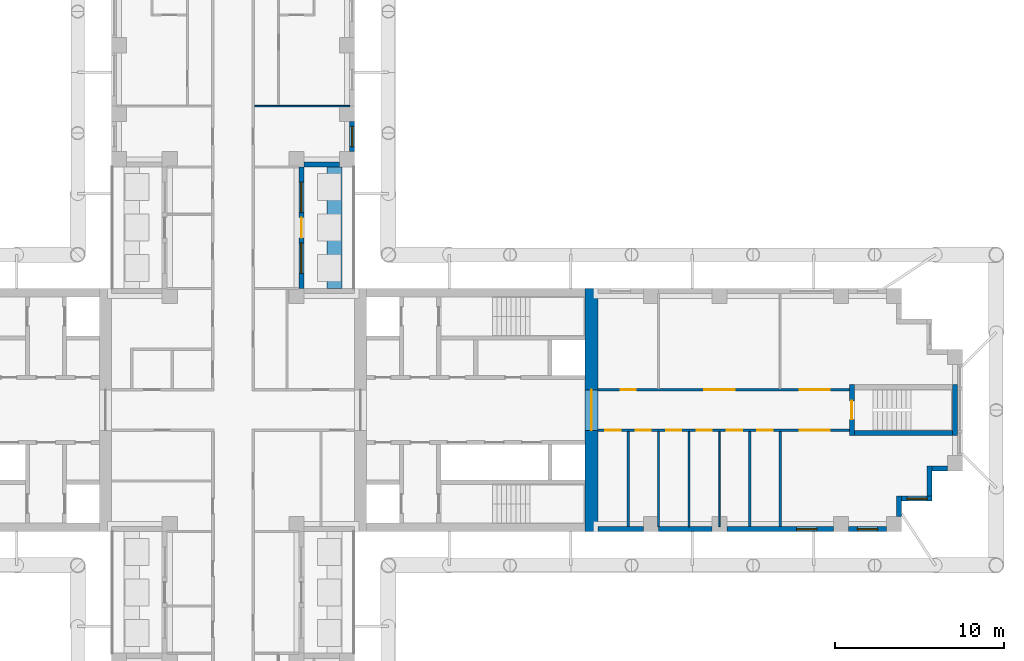
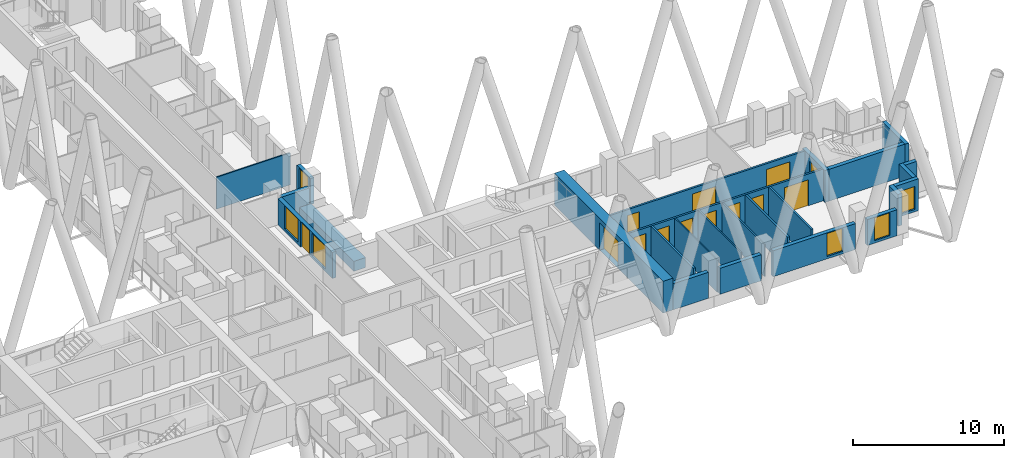
# One storey, part 10 of 16: 25 walls, 13 doors, 6 windows, 19 openings.
"""IFC4 building model written with IfcOpenShell, lengths in metres."""

from ifc_helpers import new_model, si_unit, direction, frame, frame_2d, origin, place, context, subcontext, project, spatial, rectangle, extrude, material, layer, layer_set, type_object, element, fill, save


model = new_model("IFC4")

# Units and contexts
model_context = context("Model", 3, precision=1e-05, world=origin(), true_north=direction((0.0, 1.0)))
body_context = subcontext(model_context, "Body", "Model", "MODEL_VIEW")
ifc_project = project(units=[si_unit("LENGTHUNIT", "METRE"), si_unit("AREAUNIT", "SQUARE_METRE"), si_unit("VOLUMEUNIT", "CUBIC_METRE"), si_unit("PLANEANGLEUNIT", "RADIAN"), si_unit("MASSUNIT", "GRAM", prefix="KILO")], contexts=[model_context])

# Site, building, storey
site_placement = place(None, origin())
site = spatial("IfcSite", under=ifc_project, at=site_placement, CompositionType="ELEMENT")
building_placement = place(site_placement, origin())
building = spatial("IfcBuilding", under=site, at=building_placement, Name="Fustian Cross Tower", CompositionType="ELEMENT")
storey_placement = place(building_placement, frame((0.0, 0.0, 20.699951171875)))
storey = spatial("IfcBuildingStorey", under=building, at=storey_placement, Name="L05", CompositionType="ELEMENT", Elevation=20.699951171875)

# Wall, openings, doors
ifc_material_1 = material(Name="Plasterboard on steel stud", Category="steel")
ifc_layer_1 = layer(ifc_material_1, 0.14990234375)
ifc_layer_set_1 = layer_set([ifc_layer_1], Name="Plasterboard on steel stud")
wall_type_1 = type_object("IfcWallType", Name="COMPARTMENT WALL 150 EI 60", PredefinedType="PARTITIONING", material=ifc_layer_set_1)
wall_1_placement = place(storey_placement, frame((21.60009765625, -1.199951171875, 0.0), z_axis=(0.0, 0.0, 1.0), x_axis=(1.0, 0.0, 0.0)))
wall_1 = element("IfcWall", 1, at=wall_1_placement, inside=storey, type_object=wall_type_1, Name="Partition 92", PredefinedType="PARTITIONING", context=body_context, shape_type="SweptSolid", body=[
    extrude(rectangle(XDim=14.89990234375, YDim=0.14990234375, at=frame_2d((7.449951171875, 0.0))), origin(), (0.0, 0.0, 1.0), 2.574951171875),
])
opening_1_placement = place(wall_1_placement, frame((0.449951171875, 0.0, 0.0)))
opening_1 = element("IfcOpeningElement", 2, at=opening_1_placement, cuts=wall_1, Name="Opening D05013", PredefinedType="OPENING", context=body_context, shape_type="SweptSolid", body=[
    extrude(rectangle(XDim=0.89990234375, YDim=2.10009765625, at=frame_2d((0.449951171875, 1.050048828125))), frame((0.0, 0.0849609375, 0.0), z_axis=(0.0, -1.0, 0.0), x_axis=(1.0, 0.0, 0.0)), (0.0, 0.0, 1.0), 0.169921875),
])
opening_2_placement = place(wall_1_placement, frame((2.25, 0.0, 0.0)))
opening_2 = element("IfcOpeningElement", 3, at=opening_2_placement, cuts=wall_1, Name="Opening D05014", PredefinedType="OPENING", context=body_context, shape_type="SweptSolid", body=[
    extrude(rectangle(XDim=0.89990234375, YDim=2.10009765625, at=frame_2d((0.449951171875, 1.050048828125))), frame((0.0, 0.0849609375, 0.0), z_axis=(0.0, -1.0, 0.0), x_axis=(1.0, 0.0, 0.0)), (0.0, 0.0, 1.0), 0.169921875),
])
opening_3_placement = place(wall_1_placement, frame((4.050048828125, 0.0, 0.0)))
opening_3 = element("IfcOpeningElement", 4, at=opening_3_placement, cuts=wall_1, Name="Opening D05015", PredefinedType="OPENING", context=body_context, shape_type="SweptSolid", body=[
    extrude(rectangle(XDim=0.89990234375, YDim=2.10009765625, at=frame_2d((0.449951171875, 1.050048828125))), frame((0.0, 0.0849609375, 0.0), z_axis=(0.0, -1.0, 0.0), x_axis=(1.0, 0.0, 0.0)), (0.0, 0.0, 1.0), 0.169921875),
])
opening_4_placement = place(wall_1_placement, frame((5.85009765625, 0.0, 0.0)))
opening_4 = element("IfcOpeningElement", 5, at=opening_4_placement, cuts=wall_1, Name="Opening D05016", PredefinedType="OPENING", context=body_context, shape_type="SweptSolid", body=[
    extrude(rectangle(XDim=0.89990234375, YDim=2.10009765625, at=frame_2d((0.449951171875, 1.050048828125))), frame((0.0, 0.0849609375, 0.0), z_axis=(0.0, -1.0, 0.0), x_axis=(1.0, 0.0, 0.0)), (0.0, 0.0, 1.0), 0.169921875),
])
opening_5_placement = place(wall_1_placement, frame((7.64990234375, 0.0, 0.0)))
opening_5 = element("IfcOpeningElement", 6, at=opening_5_placement, cuts=wall_1, Name="Opening D05017", PredefinedType="OPENING", context=body_context, shape_type="SweptSolid", body=[
    extrude(rectangle(XDim=0.89990234375, YDim=2.10009765625, at=frame_2d((0.449951171875, 1.050048828125))), frame((0.0, 0.0849609375, 0.0), z_axis=(0.0, -1.0, 0.0), x_axis=(1.0, 0.0, 0.0)), (0.0, 0.0, 1.0), 0.169921875),
])
opening_6_placement = place(wall_1_placement, frame((9.449951171875, 0.0, 0.0)))
opening_6 = element("IfcOpeningElement", 7, at=opening_6_placement, cuts=wall_1, Name="Opening D05018", PredefinedType="OPENING", context=body_context, shape_type="SweptSolid", body=[
    extrude(rectangle(XDim=0.89990234375, YDim=2.10009765625, at=frame_2d((0.449951171875, 1.050048828125))), frame((0.0, 0.0849609375, 0.0), z_axis=(0.0, -1.0, 0.0), x_axis=(1.0, 0.0, 0.0)), (0.0, 0.0, 1.0), 0.169921875),
])
opening_7_placement = place(wall_1_placement, frame((11.949951171875, 0.0, 0.0)))
opening_7 = element("IfcOpeningElement", 8, at=opening_7_placement, cuts=wall_1, Name="Opening D05019", PredefinedType="OPENING", context=body_context, shape_type="SweptSolid", body=[
    extrude(rectangle(XDim=1.800048828125, YDim=2.10009765625, at=frame_2d((0.89990234375, 1.050048828125))), frame((0.0, 0.0849609375, 0.0), z_axis=(0.0, -1.0, 0.0), x_axis=(1.0, 0.0, 0.0)), (0.0, 0.0, 1.0), 0.169921875),
])
ifc_material_2 = material(Name="Timber fire door set", Category="wood")
door_type_1 = type_object("IfcDoorType", Name="FIRE DOUBLE DOOR 1800 FD30S", OperationType="DOUBLE_DOOR_DOUBLE_SWING", PredefinedType="DOOR", material=ifc_material_2)
door_1_placement = place(opening_7_placement, origin())
door_1 = element("IfcDoor", 9, at=door_1_placement, inside=storey, type_object=door_type_1, Name="Door D05019", OperationType="DOUBLE_DOOR_DOUBLE_SWING", OverallHeight=2.10009765625, OverallWidth=1.800048828125, PredefinedType="DOOR", context=body_context, shape_type="SweptSolid", body=[
    extrude(rectangle(XDim=1.800048828125, YDim=2.10009765625, at=frame_2d((0.89990234375, 1.050048828125))), frame((0.0, 0.02490234375, 0.0), z_axis=(0.0, -1.0, 0.0), x_axis=(1.0, 0.0, 0.0)), (0.0, 0.0, 1.0), 0.050048828125),
])
fill(opening_7, door_1)
ifc_material_3 = material(Name="Timber fire door set", Category="wood")
door_type_2 = type_object("IfcDoorType", Name="FIRE SWING DOOR 900 FD30S", OperationType="SINGLE_SWING_LEFT", PredefinedType="DOOR", material=ifc_material_3)
door_2_placement = place(opening_1_placement, frame((0.89990234375, 0.0, 0.0), z_axis=(0.0, 0.0, 1.0), x_axis=(-1.0, 0.0, 0.0)))
door_2 = element("IfcDoor", 10, at=door_2_placement, inside=storey, type_object=door_type_2, Name="Door D05013", OperationType="SINGLE_SWING_LEFT", OverallHeight=2.10009765625, OverallWidth=0.89990234375, PredefinedType="DOOR", context=body_context, shape_type="SweptSolid", body=[
    extrude(rectangle(XDim=0.89990234375, YDim=2.10009765625, at=frame_2d((0.449951171875, 1.050048828125))), frame((0.0, 0.02490234375, 0.0), z_axis=(0.0, -1.0, 0.0), x_axis=(1.0, 0.0, 0.0)), (0.0, 0.0, 1.0), 0.050048828125),
])
fill(opening_1, door_2)
door_3_placement = place(opening_2_placement, frame((0.89990234375, 0.0, 0.0), z_axis=(0.0, 0.0, 1.0), x_axis=(-1.0, 0.0, 0.0)))
door_3 = element("IfcDoor", 11, at=door_3_placement, inside=storey, type_object=door_type_2, Name="Door D05014", OperationType="SINGLE_SWING_LEFT", OverallHeight=2.10009765625, OverallWidth=0.89990234375, PredefinedType="DOOR", context=body_context, shape_type="SweptSolid", body=[
    extrude(rectangle(XDim=0.89990234375, YDim=2.10009765625, at=frame_2d((0.449951171875, 1.050048828125))), frame((0.0, 0.02490234375, 0.0), z_axis=(0.0, -1.0, 0.0), x_axis=(1.0, 0.0, 0.0)), (0.0, 0.0, 1.0), 0.050048828125),
])
fill(opening_2, door_3)
door_4_placement = place(opening_3_placement, frame((0.89990234375, 0.0, 0.0), z_axis=(0.0, 0.0, 1.0), x_axis=(-1.0, 0.0, 0.0)))
door_4 = element("IfcDoor", 12, at=door_4_placement, inside=storey, type_object=door_type_2, Name="Door D05015", OperationType="SINGLE_SWING_LEFT", OverallHeight=2.10009765625, OverallWidth=0.89990234375, PredefinedType="DOOR", context=body_context, shape_type="SweptSolid", body=[
    extrude(rectangle(XDim=0.89990234375, YDim=2.10009765625, at=frame_2d((0.449951171875, 1.050048828125))), frame((0.0, 0.02490234375, 0.0), z_axis=(0.0, -1.0, 0.0), x_axis=(1.0, 0.0, 0.0)), (0.0, 0.0, 1.0), 0.050048828125),
])
fill(opening_3, door_4)
door_5_placement = place(opening_4_placement, frame((0.89990234375, 0.0, 0.0), z_axis=(0.0, 0.0, 1.0), x_axis=(-1.0, 0.0, 0.0)))
door_5 = element("IfcDoor", 13, at=door_5_placement, inside=storey, type_object=door_type_2, Name="Door D05016", OperationType="SINGLE_SWING_LEFT", OverallHeight=2.10009765625, OverallWidth=0.89990234375, PredefinedType="DOOR", context=body_context, shape_type="SweptSolid", body=[
    extrude(rectangle(XDim=0.89990234375, YDim=2.10009765625, at=frame_2d((0.449951171875, 1.050048828125))), frame((0.0, 0.02490234375, 0.0), z_axis=(0.0, -1.0, 0.0), x_axis=(1.0, 0.0, 0.0)), (0.0, 0.0, 1.0), 0.050048828125),
])
fill(opening_4, door_5)
door_6_placement = place(opening_5_placement, frame((0.89990234375, 0.0, 0.0), z_axis=(0.0, 0.0, 1.0), x_axis=(-1.0, 0.0, 0.0)))
door_6 = element("IfcDoor", 14, at=door_6_placement, inside=storey, type_object=door_type_2, Name="Door D05017", OperationType="SINGLE_SWING_LEFT", OverallHeight=2.10009765625, OverallWidth=0.89990234375, PredefinedType="DOOR", context=body_context, shape_type="SweptSolid", body=[
    extrude(rectangle(XDim=0.89990234375, YDim=2.10009765625, at=frame_2d((0.449951171875, 1.050048828125))), frame((0.0, 0.02490234375, 0.0), z_axis=(0.0, -1.0, 0.0), x_axis=(1.0, 0.0, 0.0)), (0.0, 0.0, 1.0), 0.050048828125),
])
fill(opening_5, door_6)
door_7_placement = place(opening_6_placement, origin())
door_7 = element("IfcDoor", 15, at=door_7_placement, inside=storey, type_object=door_type_2, Name="Door D05018", OperationType="SINGLE_SWING_RIGHT", OverallHeight=2.10009765625, OverallWidth=0.89990234375, PredefinedType="DOOR", context=body_context, shape_type="SweptSolid", body=[
    extrude(rectangle(XDim=0.89990234375, YDim=2.10009765625, at=frame_2d((0.449951171875, 1.050048828125))), frame((0.0, 0.02490234375, 0.0), z_axis=(0.0, -1.0, 0.0), x_axis=(1.0, 0.0, 0.0)), (0.0, 0.0, 1.0), 0.050048828125),
])
fill(opening_6, door_7)

wall_2_placement = place(storey_placement, frame((21.60009765625, 1.199951171875, 0.0), z_axis=(0.0, 0.0, 1.0), x_axis=(1.0, 0.0, 0.0)))
wall_2 = element("IfcWall", 16, at=wall_2_placement, inside=storey, type_object=wall_type_1, Name="Partition 93", PredefinedType="PARTITIONING", context=body_context, shape_type="SweptSolid", body=[
    extrude(rectangle(XDim=14.89990234375, YDim=0.14990234375, at=frame_2d((7.449951171875, 0.0))), origin(), (0.0, 0.0, 1.0), 2.574951171875),
])
opening_8_placement = place(wall_2_placement, frame((1.35009765625, 0.0, 0.0)))
opening_8 = element("IfcOpeningElement", 17, at=opening_8_placement, cuts=wall_2, Name="Opening D05010", PredefinedType="OPENING", context=body_context, shape_type="SweptSolid", body=[
    extrude(rectangle(XDim=0.89990234375, YDim=2.10009765625, at=frame_2d((0.449951171875, 1.050048828125))), frame((0.0, 0.0849609375, 0.0), z_axis=(0.0, -1.0, 0.0), x_axis=(1.0, 0.0, 0.0)), (0.0, 0.0, 1.0), 0.169921875),
])
opening_9_placement = place(wall_2_placement, frame((6.300048828125, 0.0, 0.0)))
opening_9 = element("IfcOpeningElement", 18, at=opening_9_placement, cuts=wall_2, Name="Opening D05011", PredefinedType="OPENING", context=body_context, shape_type="SweptSolid", body=[
    extrude(rectangle(XDim=1.800048828125, YDim=2.10009765625, at=frame_2d((0.89990234375, 1.050048828125))), frame((0.0, 0.0849609375, 0.0), z_axis=(0.0, -1.0, 0.0), x_axis=(1.0, 0.0, 0.0)), (0.0, 0.0, 1.0), 0.169921875),
])
opening_10_placement = place(wall_2_placement, frame((11.949951171875, 0.0, 0.0)))
opening_10 = element("IfcOpeningElement", 19, at=opening_10_placement, cuts=wall_2, Name="Opening D05012", PredefinedType="OPENING", context=body_context, shape_type="SweptSolid", body=[
    extrude(rectangle(XDim=1.800048828125, YDim=2.10009765625, at=frame_2d((0.89990234375, 1.050048828125))), frame((0.0, 0.0849609375, 0.0), z_axis=(0.0, -1.0, 0.0), x_axis=(1.0, 0.0, 0.0)), (0.0, 0.0, 1.0), 0.169921875),
])
door_8_placement = place(opening_9_placement, frame((1.800048828125, 0.0, 0.0), z_axis=(0.0, 0.0, 1.0), x_axis=(-1.0, 0.0, 0.0)))
door_8 = element("IfcDoor", 20, at=door_8_placement, inside=storey, type_object=door_type_1, Name="Door D05011", OperationType="DOUBLE_DOOR_DOUBLE_SWING", OverallHeight=2.10009765625, OverallWidth=1.800048828125, PredefinedType="DOOR", context=body_context, shape_type="SweptSolid", body=[
    extrude(rectangle(XDim=1.800048828125, YDim=2.10009765625, at=frame_2d((0.89990234375, 1.050048828125))), frame((0.0, 0.02490234375, 0.0), z_axis=(0.0, -1.0, 0.0), x_axis=(1.0, 0.0, 0.0)), (0.0, 0.0, 1.0), 0.050048828125),
])
fill(opening_9, door_8)
door_9_placement = place(opening_10_placement, frame((1.800048828125, 0.0, 0.0), z_axis=(0.0, 0.0, 1.0), x_axis=(-1.0, 0.0, 0.0)))
door_9 = element("IfcDoor", 21, at=door_9_placement, inside=storey, type_object=door_type_1, Name="Door D05012", OperationType="DOUBLE_DOOR_DOUBLE_SWING", OverallHeight=2.10009765625, OverallWidth=1.800048828125, PredefinedType="DOOR", context=body_context, shape_type="SweptSolid", body=[
    extrude(rectangle(XDim=1.800048828125, YDim=2.10009765625, at=frame_2d((0.89990234375, 1.050048828125))), frame((0.0, 0.02490234375, 0.0), z_axis=(0.0, -1.0, 0.0), x_axis=(1.0, 0.0, 0.0)), (0.0, 0.0, 1.0), 0.050048828125),
])
fill(opening_10, door_9)
door_10_placement = place(opening_8_placement, origin())
door_10 = element("IfcDoor", 22, at=door_10_placement, inside=storey, type_object=door_type_2, Name="Door D05010", OperationType="SINGLE_SWING_LEFT", OverallHeight=2.10009765625, OverallWidth=0.89990234375, PredefinedType="DOOR", context=body_context, shape_type="SweptSolid", body=[
    extrude(rectangle(XDim=0.89990234375, YDim=2.10009765625, at=frame_2d((0.449951171875, 1.050048828125))), frame((0.0, 0.02490234375, 0.0), z_axis=(0.0, -1.0, 0.0), x_axis=(1.0, 0.0, 0.0)), (0.0, 0.0, 1.0), 0.050048828125),
])
fill(opening_8, door_10)

# Walls
for number, where, z_axis, x_axis, name in (
    (23, (23.39990234375, -6.89990234375, 0.0), (0.0, 0.0, 1.0), (0.0, 1.0, 0.0), "Partition 94"),
    (24, (30.60009765625, -6.89990234375, 0.0), (0.0, 0.0, 1.0), (0.0, 1.0, 0.0), "Partition 99"),
    (25, (32.39990234375, -6.89990234375, 0.0), (0.0, 0.0, 1.0), (0.0, 1.0, 0.0), "Partition 100"),
):
    element("IfcWall", number, at=place(storey_placement, frame(where, z_axis=z_axis, x_axis=x_axis)), inside=storey, type_object=wall_type_1, Name=name, PredefinedType="PARTITIONING", context=body_context, shape_type="SweptSolid", body=[
        extrude(rectangle(XDim=5.625, YDim=0.14990234375, at=frame_2d((2.8125, 0.0))), origin(), (0.0, 0.0, 1.0), 2.574951171875),
    ])

# Wall, opening, door
ifc_material_4 = material(Name="Concrete C80/95", Category="concrete")
ifc_layer_2 = layer(ifc_material_4, 0.75)
ifc_layer_set_2 = layer_set([ifc_layer_2], Name="Concrete C80/95")
wall_type_2 = type_object("IfcWallType", Name="CORE END WALL 750 C80/95", PredefinedType="SHEAR", material=ifc_layer_set_2)
wall_3_placement = place(storey_placement, frame((21.22509765625, -7.199951171875, 0.0), z_axis=(0.0, 0.0, 1.0), x_axis=(0.0, 1.0, 0.0)))
wall_3 = element("IfcWall", 26, at=wall_3_placement, inside=storey, type_object=wall_type_2, Name="Core end wall", PredefinedType="SHEAR", context=body_context, shape_type="SweptSolid", body=[
    extrude(rectangle(XDim=14.39990234375, YDim=0.75, at=frame_2d((7.199951171875, 0.0))), origin(), (0.0, 0.0, 1.0), 2.574951171875),
])
opening_11_placement = place(wall_3_placement, frame((6.0, 0.0, 0.0)))
opening_11 = element("IfcOpeningElement", 27, at=opening_11_placement, cuts=wall_3, Name="Opening CD-05-13", PredefinedType="OPENING", context=body_context, shape_type="SweptSolid", body=[
    extrude(rectangle(XDim=2.39990234375, YDim=2.199951171875, at=frame_2d((1.199951171875, 1.10009765625))), frame((0.0, 0.385009765625, 0.0), z_axis=(0.0, -1.0, 0.0), x_axis=(1.0, 0.0, 0.0)), (0.0, 0.0, 1.0), 0.77001953125),
])
ifc_material_5 = material(Name="Steel", Category="steel")
door_type_3 = type_object("IfcDoorType", Name="FIRE DOOR FD30S DOUBLE 2400X2200", OperationType="DOUBLE_DOOR_DOUBLE_SWING", PredefinedType="DOOR", material=ifc_material_5)
door_11_placement = place(opening_11_placement, origin())
door_11 = element("IfcDoor", 28, at=door_11_placement, inside=storey, type_object=door_type_3, Name="Core door CD-05-13", OperationType="DOUBLE_DOOR_DOUBLE_SWING", OverallHeight=2.199951171875, OverallWidth=2.39990234375, PredefinedType="DOOR", context=body_context, shape_type="SweptSolid", body=[
    extrude(rectangle(XDim=2.39990234375, YDim=2.199951171875, at=frame_2d((1.199951171875, 1.10009765625))), frame((0.0, 0.02490234375, 0.0), z_axis=(0.0, -1.0, 0.0), x_axis=(1.0, 0.0, 0.0)), (0.0, 0.0, 1.0), 0.050048828125),
])
fill(opening_11, door_11)

# Walls
ifc_material_6 = material(Name="Plasterboard on steel stud", Category="steel")
ifc_layer_3 = layer(ifc_material_6, 0.10009765625)
ifc_layer_set_3 = layer_set([ifc_layer_3], Name="Plasterboard on steel stud")
wall_type_3 = type_object("IfcWallType", Name="PARTITION 100 STUD", PredefinedType="PARTITIONING", material=ifc_layer_set_3)
for number, where, z_axis, x_axis, name in (
    (29, (1.27490234375, 18.0, 0.0), (0.0, 0.0, 1.0), (1.0, 0.0, 0.0), "Partition 62"),
    (30, (25.199951171875, -6.89990234375, 0.0), (0.0, 0.0, 1.0), (0.0, 1.0, 0.0), "Partition 95"),
    (31, (27.0, -6.89990234375, 0.0), (0.0, 0.0, 1.0), (0.0, 1.0, 0.0), "Partition 97"),
    (32, (28.800048828125, -6.89990234375, 0.0), (0.0, 0.0, 1.0), (0.0, 1.0, 0.0), "Partition 98"),
):
    element("IfcWall", number, at=place(storey_placement, frame(where, z_axis=z_axis, x_axis=x_axis)), inside=storey, type_object=wall_type_3, Name=name, PredefinedType="PARTITIONING", context=body_context, shape_type="SweptSolid", body=[
        extrude(rectangle(XDim=5.625, YDim=0.10009765625, at=frame_2d((2.8125, 0.0))), origin(), (0.0, 0.0, 1.0), 2.574951171875),
    ])
ifc_material_7 = material(Name="Concrete C40/50", Category="concrete")
ifc_layer_4 = layer(ifc_material_7, 0.89990234375)
ifc_layer_set_4 = layer_set([ifc_layer_4], Name="Concrete C40/50")
wall_type_4 = type_object("IfcWallType", Name="PK1 PLANTER 900", PredefinedType="PARAPET", material=ifc_layer_set_4)
wall_4_placement = place(storey_placement, frame((6.0, 7.199951171875, 0.0), z_axis=(0.0, 0.0, 1.0), x_axis=(0.0, 1.0, 0.0)))
element("IfcWall", 33, at=wall_4_placement, inside=storey, type_object=wall_type_4, Name="PLANTER", PredefinedType="PARAPET", context=body_context, shape_type="SweptSolid", body=[
    extrude(rectangle(XDim=7.199951171875, YDim=0.89990234375, at=frame_2d((3.60009765625, 0.0))), origin(), (0.0, 0.0, 1.0), 0.800048828125),
])

# Wall, opening, door
ifc_material_8 = material(Name="Concrete C50/60", Category="concrete")
ifc_layer_5 = layer(ifc_material_8, 0.300048828125)
ifc_layer_set_5 = layer_set([ifc_layer_5], Name="Concrete C50/60")
wall_type_5 = type_object("IfcWallType", Name="STAIR ENCLOSURE WALL 300 C50/60", PredefinedType="SHEAR", material=ifc_layer_set_5)
wall_5_placement = place(storey_placement, frame((36.64990234375, -1.5, 0.0), z_axis=(0.0, 0.0, 1.0), x_axis=(0.0, 1.0, 0.0)))
wall_5 = element("IfcWall", 34, at=wall_5_placement, inside=storey, type_object=wall_type_5, Name="Stair enclosure wall", PredefinedType="SHEAR", context=body_context, shape_type="SweptSolid", body=[
    extrude(rectangle(XDim=3.0, YDim=0.300048828125, at=frame_2d((1.5, 0.0))), origin(), (0.0, 0.0, 1.0), 2.574951171875),
])
opening_12_placement = place(wall_5_placement, frame((0.949951171875, 0.0, 0.0)))
opening_12 = element("IfcOpeningElement", 35, at=opening_12_placement, cuts=wall_5, Name="Opening CD-05-33", PredefinedType="OPENING", context=body_context, shape_type="SweptSolid", body=[
    extrude(rectangle(XDim=1.10009765625, YDim=2.10009765625, at=frame_2d((0.550048828125, 1.050048828125))), frame((0.0, 0.159912109375, 0.0), z_axis=(0.0, -1.0, 0.0), x_axis=(1.0, 0.0, 0.0)), (0.0, 0.0, 1.0), 0.320068359375),
])
ifc_material_9 = material(Name="Steel", Category="steel")
door_type_4 = type_object("IfcDoorType", Name="FIRE DOOR FD60S 1100X2100", OperationType="SINGLE_SWING_LEFT", PredefinedType="DOOR", material=ifc_material_9)
door_12_placement = place(opening_12_placement, frame((1.10009765625, 0.0, 0.0), z_axis=(0.0, 0.0, 1.0), x_axis=(-1.0, 0.0, 0.0)))
door_12 = element("IfcDoor", 36, at=door_12_placement, inside=storey, type_object=door_type_4, Name="Core door CD-05-33", OperationType="SINGLE_SWING_RIGHT", OverallHeight=2.10009765625, OverallWidth=1.10009765625, PredefinedType="DOOR", context=body_context, shape_type="SweptSolid", body=[
    extrude(rectangle(XDim=1.10009765625, YDim=2.10009765625, at=frame_2d((0.550048828125, 1.050048828125))), frame((0.0, 0.02490234375, 0.0), z_axis=(0.0, -1.0, 0.0), x_axis=(1.0, 0.0, 0.0)), (0.0, 0.0, 1.0), 0.050048828125),
])
fill(opening_12, door_12)

# Walls
wall_6_placement = place(storey_placement, frame((42.75, -1.5, 0.0), z_axis=(0.0, 0.0, 1.0), x_axis=(0.0, 1.0, 0.0)))
element("IfcWall", 37, at=wall_6_placement, inside=storey, type_object=wall_type_5, Name="Stair enclosure wall", PredefinedType="SHEAR", context=body_context, shape_type="SweptSolid", body=[
    extrude(rectangle(XDim=3.0, YDim=0.300048828125, at=frame_2d((1.5, 0.0))), origin(), (0.0, 0.0, 1.0), 2.574951171875),
])
wall_7_placement = place(storey_placement, frame((36.800048828125, -1.35009765625, 0.0), z_axis=(0.0, 0.0, 1.0), x_axis=(1.0, 0.0, 0.0)))
element("IfcWall", 38, at=wall_7_placement, inside=storey, type_object=wall_type_5, Name="Stair enclosure wall", PredefinedType="SHEAR", context=body_context, shape_type="SweptSolid", body=[
    extrude(rectangle(XDim=5.800048828125, YDim=0.300048828125, at=frame_2d((2.89990234375, 0.0))), origin(), (0.0, 0.0, 1.0), 2.574951171875),
])
ifc_material_10 = material(Name="Dark aluminium cladding on insulated backing wall", Category="aluminium")
ifc_layer_6 = layer(ifc_material_10, 0.300048828125)
ifc_layer_set_6 = layer_set([ifc_layer_6], Name="Dark aluminium cladding on insulated backing wall")
wall_type_6 = type_object("IfcWallType", Name="XW1 EXTERNAL WALL 300", PredefinedType="SOLIDWALL", material=ifc_layer_set_6)
wall_8_placement = place(storey_placement, frame((21.60009765625, -7.050048828125, 0.0), z_axis=(0.0, 0.0, 1.0), x_axis=(1.0, 0.0, 0.0)))
element("IfcWall", 39, at=wall_8_placement, inside=storey, type_object=wall_type_6, Name="External wall", PredefinedType="SOLIDWALL", context=body_context, shape_type="SweptSolid", body=[
    extrude(rectangle(XDim=2.699951171875, YDim=0.300048828125, at=frame_2d((1.35009765625, 0.0))), origin(), (0.0, 0.0, 1.0), 2.10009765625),
])
wall_9_placement = place(storey_placement, frame((25.199951171875, -7.050048828125, 0.0), z_axis=(0.0, 0.0, 1.0), x_axis=(1.0, 0.0, 0.0)))
element("IfcWall", 40, at=wall_9_placement, inside=storey, type_object=wall_type_6, Name="External wall", PredefinedType="SOLIDWALL", context=body_context, shape_type="SweptSolid", body=[
    extrude(rectangle(XDim=3.150146484375, YDim=0.300048828125, at=frame_2d((1.5751953125, 0.0))), origin(), (0.0, 0.0, 1.0), 2.10009765625),
])

# Wall, opening, window
wall_10_placement = place(storey_placement, frame((29.25, -7.050048828125, 0.0), z_axis=(0.0, 0.0, 1.0), x_axis=(1.0, 0.0, 0.0)))
wall_10 = element("IfcWall", 41, at=wall_10_placement, inside=storey, type_object=wall_type_6, Name="External wall", PredefinedType="SOLIDWALL", context=body_context, shape_type="SweptSolid", body=[
    extrude(rectangle(XDim=6.300048828125, YDim=0.300048828125, at=frame_2d((3.14990234375, 0.0))), origin(), (0.0, 0.0, 1.0), 2.10009765625),
])
opening_13_placement = place(wall_10_placement, frame((4.125, 0.0, 0.199951171875)))
opening_13 = element("IfcOpeningElement", 42, at=opening_13_placement, cuts=wall_10, Name="Opening WN3", PredefinedType="OPENING", context=body_context, shape_type="SweptSolid", body=[
    extrude(rectangle(XDim=1.199951171875, YDim=1.85009765625, at=frame_2d((0.60009765625, 0.925048828125))), frame((0.0, 0.159912109375, 0.0), z_axis=(0.0, -1.0, 0.0), x_axis=(1.0, 0.0, 0.0)), (0.0, 0.0, 1.0), 0.320068359375),
])
ifc_material_11 = material(Name="Dark anodised aluminium and double glazing", Category="aluminium")
window_type_1 = type_object("IfcWindowType", Name="WN3 WINDOW 1200X1850", PartitioningType="SINGLE_PANEL", PredefinedType="WINDOW", material=ifc_material_11)
window_1_placement = place(opening_13_placement, origin())
window_1 = element("IfcWindow", 43, at=window_1_placement, inside=storey, type_object=window_type_1, Name="Window", OverallHeight=1.85009765625, OverallWidth=1.199951171875, PartitioningType="SINGLE_PANEL", PredefinedType="WINDOW", context=body_context, shape_type="SweptSolid", body=[
    extrude(rectangle(XDim=1.199951171875, YDim=1.85009765625, at=frame_2d((0.60009765625, 0.925048828125))), frame((0.0, 0.030029296875, 0.0), z_axis=(0.0, -1.0, 0.0), x_axis=(1.0, 0.0, 0.0)), (0.0, 0.0, 1.0), 0.06005859375),
])
fill(opening_13, window_1)

wall_11_placement = place(storey_placement, frame((36.449951171875, -7.050048828125, 0.0), z_axis=(0.0, 0.0, 1.0), x_axis=(1.0, 0.0, 0.0)))
wall_11 = element("IfcWall", 44, at=wall_11_placement, inside=storey, type_object=wall_type_6, Name="External wall", PredefinedType="SOLIDWALL", context=body_context, shape_type="SweptSolid", body=[
    extrude(rectangle(XDim=2.25, YDim=0.300048828125, at=frame_2d((1.125, 0.0))), origin(), (0.0, 0.0, 1.0), 2.10009765625),
])
opening_14_placement = place(wall_11_placement, frame((0.52490234375, 0.0, 0.199951171875)))
opening_14 = element("IfcOpeningElement", 45, at=opening_14_placement, cuts=wall_11, Name="Opening WN3", PredefinedType="OPENING", context=body_context, shape_type="SweptSolid", body=[
    extrude(rectangle(XDim=1.199951171875, YDim=1.85009765625, at=frame_2d((0.60009765625, 0.925048828125))), frame((0.0, 0.159912109375, 0.0), z_axis=(0.0, -1.0, 0.0), x_axis=(1.0, 0.0, 0.0)), (0.0, 0.0, 1.0), 0.320068359375),
])
window_2_placement = place(opening_14_placement, origin())
window_2 = element("IfcWindow", 46, at=window_2_placement, inside=storey, type_object=window_type_1, Name="Window", OverallHeight=1.85009765625, OverallWidth=1.199951171875, PartitioningType="SINGLE_PANEL", PredefinedType="WINDOW", context=body_context, shape_type="SweptSolid", body=[
    extrude(rectangle(XDim=1.199951171875, YDim=1.85009765625, at=frame_2d((0.60009765625, 0.925048828125))), frame((0.0, 0.030029296875, 0.0), z_axis=(0.0, -1.0, 0.0), x_axis=(1.0, 0.0, 0.0)), (0.0, 0.0, 1.0), 0.06005859375),
])
fill(opening_14, window_2)

# Wall
wall_12_placement = place(storey_placement, frame((39.449951171875, -6.300048828125, 0.0), z_axis=(0.0, 0.0, 1.0), x_axis=(0.0, 1.0, 0.0)))
element("IfcWall", 47, at=wall_12_placement, inside=storey, type_object=wall_type_6, Name="External wall", PredefinedType="SOLIDWALL", context=body_context, shape_type="SweptSolid", body=[
    extrude(rectangle(XDim=1.199951171875, YDim=0.300048828125, at=frame_2d((0.60009765625, 0.0))), origin(), (0.0, 0.0, 1.0), 2.574951171875),
])

# Wall, opening, window
wall_13_placement = place(storey_placement, frame((39.60009765625, -5.25, 0.0), z_axis=(0.0, 0.0, 1.0), x_axis=(1.0, 0.0, 0.0)))
wall_13 = element("IfcWall", 48, at=wall_13_placement, inside=storey, type_object=wall_type_6, Name="External wall", PredefinedType="SOLIDWALL", context=body_context, shape_type="SweptSolid", body=[
    extrude(rectangle(XDim=1.7998046875, YDim=0.300048828125, at=frame_2d((0.89990234375, 0.0))), origin(), (0.0, 0.0, 1.0), 2.574951171875),
])
opening_15_placement = place(wall_13_placement, frame((0.300048828125, 0.0, 0.199951171875)))
opening_15 = element("IfcOpeningElement", 49, at=opening_15_placement, cuts=wall_13, Name="Opening WN3", PredefinedType="OPENING", context=body_context, shape_type="SweptSolid", body=[
    extrude(rectangle(XDim=1.199951171875, YDim=1.85009765625, at=frame_2d((0.60009765625, 0.925048828125))), frame((0.0, 0.159912109375, 0.0), z_axis=(0.0, -1.0, 0.0), x_axis=(1.0, 0.0, 0.0)), (0.0, 0.0, 1.0), 0.320068359375),
])
window_3_placement = place(opening_15_placement, origin())
window_3 = element("IfcWindow", 50, at=window_3_placement, inside=storey, type_object=window_type_1, Name="Window", OverallHeight=1.85009765625, OverallWidth=1.199951171875, PartitioningType="SINGLE_PANEL", PredefinedType="WINDOW", context=body_context, shape_type="SweptSolid", body=[
    extrude(rectangle(XDim=1.199951171875, YDim=1.85009765625, at=frame_2d((0.60009765625, 0.925048828125))), frame((0.0, 0.030029296875, 0.0), z_axis=(0.0, -1.0, 0.0), x_axis=(1.0, 0.0, 0.0)), (0.0, 0.0, 1.0), 0.06005859375),
])
fill(opening_15, window_3)

# Walls
wall_14_placement = place(storey_placement, frame((41.25, -5.10009765625, 0.0), z_axis=(0.0, 0.0, 1.0), x_axis=(0.0, 1.0, 0.0)))
element("IfcWall", 51, at=wall_14_placement, inside=storey, type_object=wall_type_6, Name="External wall", PredefinedType="SOLIDWALL", context=body_context, shape_type="SweptSolid", body=[
    extrude(rectangle(XDim=1.800048828125, YDim=0.300048828125, at=frame_2d((0.89990234375, 0.0))), origin(), (0.0, 0.0, 1.0), 2.574951171875),
])
wall_15_placement = place(storey_placement, frame((41.39990234375, -3.449951171875, 0.0), z_axis=(0.0, 0.0, 1.0), x_axis=(1.0, 0.0, 0.0)))
element("IfcWall", 52, at=wall_15_placement, inside=storey, type_object=wall_type_6, Name="External wall", PredefinedType="SOLIDWALL", context=body_context, shape_type="SweptSolid", body=[
    extrude(rectangle(XDim=0.900146484375, YDim=0.300048828125, at=frame_2d((0.4501953125, 0.0))), origin(), (0.0, 0.0, 1.0), 2.574951171875),
])

# Wall, openings, door, windows
wall_16_placement = place(storey_placement, frame((4.050048828125, 7.199951171875, 0.0), z_axis=(0.0, 0.0, 1.0), x_axis=(0.0, 1.0, 0.0)))
wall_16 = element("IfcWall", 53, at=wall_16_placement, inside=storey, type_object=wall_type_6, Name="External wall", PredefinedType="SOLIDWALL", context=body_context, shape_type="SweptSolid", body=[
    extrude(rectangle(XDim=7.199951171875, YDim=0.300048828125, at=frame_2d((3.60009765625, 0.0))), origin(), (0.0, 0.0, 1.0), 2.10009765625),
])
opening_16_placement = place(wall_16_placement, frame((3.0, 0.0, 0.0)))
opening_16 = element("IfcOpeningElement", 54, at=opening_16_placement, cuts=wall_16, Name="Opening XD1", PredefinedType="OPENING", context=body_context, shape_type="SweptSolid", body=[
    extrude(rectangle(XDim=1.199951171875, YDim=2.050048828125, at=frame_2d((0.60009765625, 1.02490234375))), frame((0.0, 0.159912109375, 0.0), z_axis=(0.0, -1.0, 0.0), x_axis=(1.0, 0.0, 0.0)), (0.0, 0.0, 1.0), 0.320068359375),
])
opening_17_placement = place(wall_16_placement, frame((0.89990234375, 0.0, 0.199951171875)))
opening_17 = element("IfcOpeningElement", 55, at=opening_17_placement, cuts=wall_16, Name="Opening WN2", PredefinedType="OPENING", context=body_context, shape_type="SweptSolid", body=[
    extrude(rectangle(XDim=1.800048828125, YDim=1.85009765625, at=frame_2d((0.89990234375, 0.925048828125))), frame((0.0, 0.159912109375, 0.0), z_axis=(0.0, -1.0, 0.0), x_axis=(1.0, 0.0, 0.0)), (0.0, 0.0, 1.0), 0.320068359375),
])
opening_18_placement = place(wall_16_placement, frame((4.5, 0.0, 0.199951171875)))
opening_18 = element("IfcOpeningElement", 56, at=opening_18_placement, cuts=wall_16, Name="Opening WN2", PredefinedType="OPENING", context=body_context, shape_type="SweptSolid", body=[
    extrude(rectangle(XDim=1.800048828125, YDim=1.85009765625, at=frame_2d((0.89990234375, 0.925048828125))), frame((0.0, 0.159912109375, 0.0), z_axis=(0.0, -1.0, 0.0), x_axis=(1.0, 0.0, 0.0)), (0.0, 0.0, 1.0), 0.320068359375),
])
ifc_material_12 = material(Name="Dark anodised aluminium and double glazing", Category="aluminium")
door_type_5 = type_object("IfcDoorType", Name="ED1 BALCONY DOOR 1200X2050", OperationType="SINGLE_SWING_LEFT", PredefinedType="DOOR", material=ifc_material_12)
door_13_placement = place(opening_16_placement, origin())
door_13 = element("IfcDoor", 57, at=door_13_placement, inside=storey, type_object=door_type_5, Name="Balcony door", OperationType="SINGLE_SWING_LEFT", OverallHeight=2.050048828125, OverallWidth=1.199951171875, PredefinedType="DOOR", context=body_context, shape_type="SweptSolid", body=[
    extrude(rectangle(XDim=1.199951171875, YDim=2.050048828125, at=frame_2d((0.60009765625, 1.02490234375))), frame((0.0, 0.02490234375, 0.0), z_axis=(0.0, -1.0, 0.0), x_axis=(1.0, 0.0, 0.0)), (0.0, 0.0, 1.0), 0.050048828125),
])
fill(opening_16, door_13)
ifc_material_13 = material(Name="Dark anodised aluminium and double glazing", Category="aluminium")
window_type_2 = type_object("IfcWindowType", Name="WN2 WINDOW 1800X1850", PartitioningType="SINGLE_PANEL", PredefinedType="WINDOW", material=ifc_material_13)
window_4_placement = place(opening_17_placement, origin())
window_4 = element("IfcWindow", 58, at=window_4_placement, inside=storey, type_object=window_type_2, Name="Window", OverallHeight=1.85009765625, OverallWidth=1.800048828125, PartitioningType="SINGLE_PANEL", PredefinedType="WINDOW", context=body_context, shape_type="SweptSolid", body=[
    extrude(rectangle(XDim=1.800048828125, YDim=1.85009765625, at=frame_2d((0.89990234375, 0.925048828125))), frame((0.0, 0.030029296875, 0.0), z_axis=(0.0, -1.0, 0.0), x_axis=(1.0, 0.0, 0.0)), (0.0, 0.0, 1.0), 0.06005859375),
])
fill(opening_17, window_4)
window_5_placement = place(opening_18_placement, origin())
window_5 = element("IfcWindow", 59, at=window_5_placement, inside=storey, type_object=window_type_2, Name="Window", OverallHeight=1.85009765625, OverallWidth=1.800048828125, PartitioningType="SINGLE_PANEL", PredefinedType="WINDOW", context=body_context, shape_type="SweptSolid", body=[
    extrude(rectangle(XDim=1.800048828125, YDim=1.85009765625, at=frame_2d((0.89990234375, 0.925048828125))), frame((0.0, 0.030029296875, 0.0), z_axis=(0.0, -1.0, 0.0), x_axis=(1.0, 0.0, 0.0)), (0.0, 0.0, 1.0), 0.06005859375),
])
fill(opening_18, window_5)

# Wall
wall_17_placement = place(storey_placement, frame((4.199951171875, 14.550048828125, 0.0), z_axis=(0.0, 0.0, 1.0), x_axis=(1.0, 0.0, 0.0)))
element("IfcWall", 60, at=wall_17_placement, inside=storey, type_object=wall_type_6, Name="External wall", PredefinedType="SOLIDWALL", context=body_context, shape_type="SweptSolid", body=[
    extrude(rectangle(XDim=2.10009765625, YDim=0.300048828125, at=frame_2d((1.050048828125, 0.0))), origin(), (0.0, 0.0, 1.0), 2.10009765625),
])

# Wall, opening, window
wall_18_placement = place(storey_placement, frame((7.050048828125, 15.300048828125, 0.0), z_axis=(0.0, 0.0, 1.0), x_axis=(0.0, 1.0, 0.0)))
wall_18 = element("IfcWall", 61, at=wall_18_placement, inside=storey, type_object=wall_type_6, Name="External wall", PredefinedType="SOLIDWALL", context=body_context, shape_type="SweptSolid", body=[
    extrude(rectangle(XDim=1.800048828125, YDim=0.300048828125, at=frame_2d((0.89990234375, 0.0))), origin(), (0.0, 0.0, 1.0), 2.10009765625),
])
opening_19_placement = place(wall_18_placement, frame((0.300048828125, 0.0, 0.199951171875)))
opening_19 = element("IfcOpeningElement", 62, at=opening_19_placement, cuts=wall_18, Name="Opening WN3", PredefinedType="OPENING", context=body_context, shape_type="SweptSolid", body=[
    extrude(rectangle(XDim=1.199951171875, YDim=1.85009765625, at=frame_2d((0.60009765625, 0.925048828125))), frame((0.0, 0.159912109375, 0.0), z_axis=(0.0, -1.0, 0.0), x_axis=(1.0, 0.0, 0.0)), (0.0, 0.0, 1.0), 0.320068359375),
])
window_6_placement = place(opening_19_placement, origin())
window_6 = element("IfcWindow", 63, at=window_6_placement, inside=storey, type_object=window_type_1, Name="Window", OverallHeight=1.85009765625, OverallWidth=1.199951171875, PartitioningType="SINGLE_PANEL", PredefinedType="WINDOW", context=body_context, shape_type="SweptSolid", body=[
    extrude(rectangle(XDim=1.199951171875, YDim=1.85009765625, at=frame_2d((0.60009765625, 0.925048828125))), frame((0.0, 0.030029296875, 0.0), z_axis=(0.0, -1.0, 0.0), x_axis=(1.0, 0.0, 0.0)), (0.0, 0.0, 1.0), 0.06005859375),
])
fill(opening_19, window_6)

save(model, "model.ifc")
